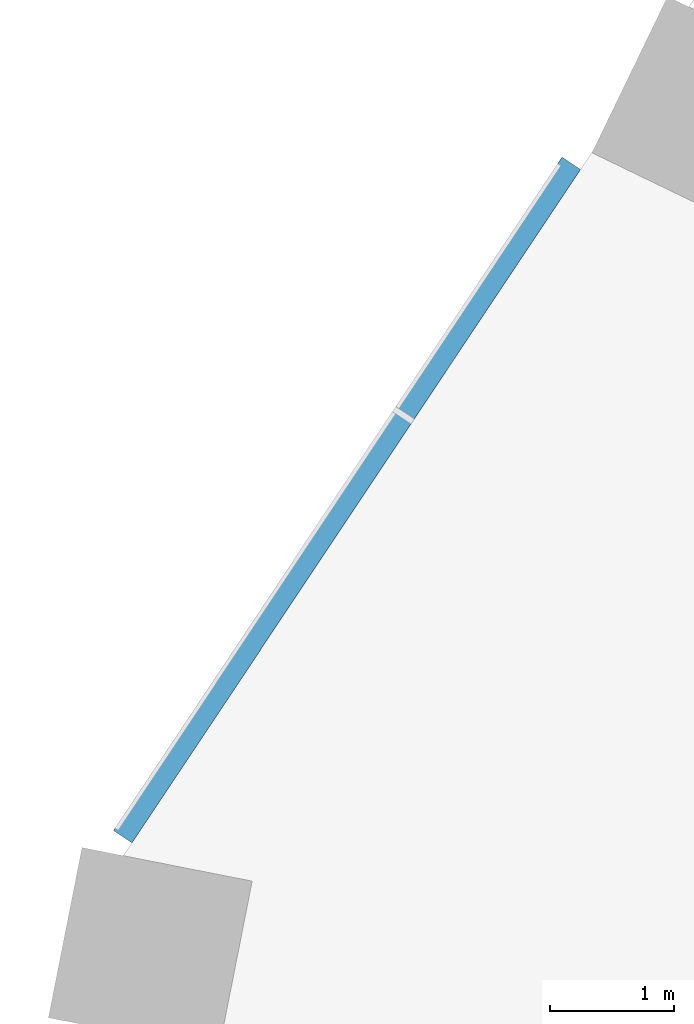
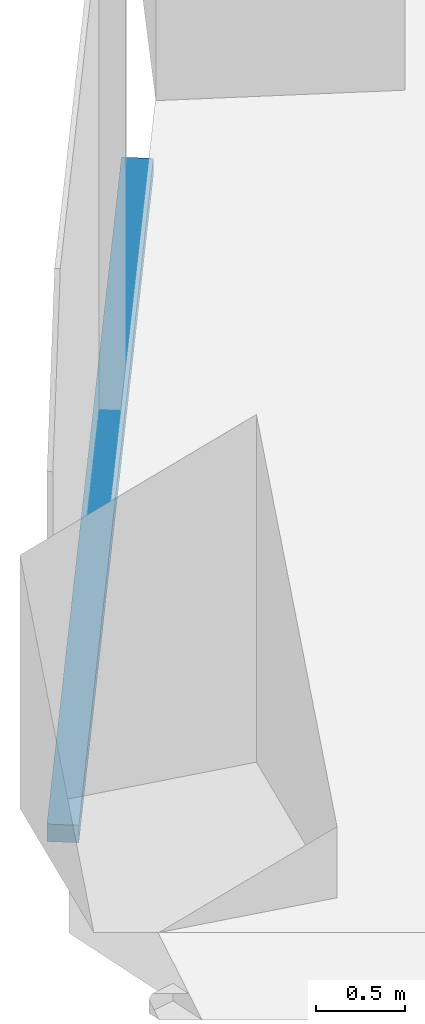
# One storey, part 7 of 38: 1 member, 1 element without a shape of its own.
"""IFC4 building model written with IfcOpenShell, lengths in metres."""

import ifcopenshell
import ifcopenshell.guid

model = None  # the IFC model being written
_history = None  # IfcOwnerHistory: only IFC2X3 demands one
_inside = {}  # id of a spatial element -> (the spatial element, [elements in it])
_under = {}  # id of a project, library or spatial element -> (it, [spatial elements below it])
_declared = {}  # id of a project -> (the project, [libraries it declares])
_typed = {}  # id of a type object -> (the type object, [elements of that type])
_made_of = {}  # id of a material, layer set ... -> (it, [elements and type objects made of it])


def new_model(schema):
    """Start an empty IFC model of exactly this schema.

    Asked for "IFC4X3", IfcOpenShell would pick the latest addendum, in which some entities
    have other attributes; the version numbers below select the first issue.
    IFC2X3 requires an IfcOwnerHistory on every rooted entity: one is made here for all.
    """
    global model, _history
    if schema == "IFC4X3":
        model = ifcopenshell.file(schema_version=(4, 3, 0, 0))
    else:
        model = ifcopenshell.file(schema=schema)
    _inside.clear()
    _under.clear()
    _declared.clear()
    _typed.clear()
    _made_of.clear()
    _history = None
    if model.schema == "IFC2X3":
        org = make("IfcOrganization", Name="unknown")
        user = make(
            "IfcPersonAndOrganization",
            ThePerson=make("IfcPerson", FamilyName="unknown"),
            TheOrganization=org,
        )
        app = make(
            "IfcApplication",
            ApplicationDeveloper=org,
            Version="unknown",
            ApplicationFullName="unknown",
            ApplicationIdentifier="unknown",
        )
        _history = make(
            "IfcOwnerHistory",
            OwningUser=user,
            OwningApplication=app,
            ChangeAction="ADDED",
            CreationDate=0,
        )
    return model


def make(cls, **values):
    """One entity of the class cls with the attributes given. An attribute that is None is left unset."""
    return model.create_entity(
        cls, **{name: value for name, value in values.items() if value is not None}
    )


def rooted(cls, **values):
    """An entity with a GlobalId (a new one), such as an element, a storey or a relation."""
    return make(cls, GlobalId=ifcopenshell.guid.new(), OwnerHistory=_history, **values)


def si_unit(unit_type, name, prefix=None):
    """IfcSIUnit, for example si_unit("LENGTHUNIT", "METRE", prefix="MILLI")."""
    return make("IfcSIUnit", UnitType=unit_type, Prefix=prefix, Name=name)


def assignment(units):
    """IfcUnitAssignment: the units of a project."""
    return None if units is None else make("IfcUnitAssignment", Units=units)


def point(xyz):
    """IfcCartesianPoint."""
    return None if xyz is None else make("IfcCartesianPoint", Coordinates=xyz)


def direction(xyz):
    """IfcDirection."""
    return None if xyz is None else make("IfcDirection", DirectionRatios=xyz)


def frame(location, z_axis=None, x_axis=None):
    """IfcAxis2Placement3D, a coordinate frame: its origin and axes. An axis left out is left unset."""
    return make(
        "IfcAxis2Placement3D",
        Location=point(location),
        Axis=direction(z_axis),
        RefDirection=direction(x_axis),
    )


def frame_2d(location, x_axis=None):
    """IfcAxis2Placement2D, a coordinate frame in the plane: its origin and x axis."""
    return make(
        "IfcAxis2Placement2D", Location=point(location), RefDirection=direction(x_axis)
    )


def origin():
    """The frame at (0, 0, 0) with its axes left unset."""
    return frame((0.0, 0.0, 0.0))


def origin_2d():
    """The frame at (0, 0) in the plane with its x axis left unset."""
    return frame_2d((0.0, 0.0))


def place(relative_to, where):
    """IfcLocalPlacement: puts the frame where relative to a parent placement (None: the world)."""
    return make(
        "IfcLocalPlacement", PlacementRelTo=relative_to, RelativePlacement=where
    )


def context(
    kind, dimensions, precision=None, world=None, true_north=None, identifier=None
):
    """IfcGeometricRepresentationContext, for example the 3D "Model" context."""
    return make(
        "IfcGeometricRepresentationContext",
        ContextIdentifier=identifier,
        ContextType=kind,
        CoordinateSpaceDimension=dimensions,
        Precision=precision,
        WorldCoordinateSystem=world,
        TrueNorth=true_north,
    )


def subcontext(parent, identifier, kind, view, scale=None):
    """IfcGeometricRepresentationSubContext, for example "Body" below "Model"."""
    return make(
        "IfcGeometricRepresentationSubContext",
        ContextIdentifier=identifier,
        ContextType=kind,
        ParentContext=parent,
        TargetScale=scale,
        TargetView=view,
    )


def project(units=None, contexts=None):
    """IfcProject with its units and contexts."""
    return rooted(
        "IfcProject",
        Name="project",
        RepresentationContexts=contexts,
        UnitsInContext=assignment(units),
    )


def spatial(cls, under=None, at=None, **own):
    """A site, building, storey or space (cls), placed at a placement, below another one or the project."""
    s = rooted(cls, ObjectPlacement=at, **own)
    if under is not None:
        _under.setdefault(under.id(), (under, []))[1].append(s)
    return s


def profile(cls, at=None, kind="AREA", **sizes):
    """A parametric profile (cls). Its sizes go by their IFC names, for example OverallWidth=200.0."""
    return make(cls, ProfileType=kind, Position=at, **sizes)


def rectangle(**sizes):
    """IfcRectangleProfileDef."""
    return profile("IfcRectangleProfileDef", **sizes)


def extrude(swept, where, along, depth):
    """IfcExtrudedAreaSolid: the profile swept, set in the frame where, extruded along a direction by depth."""
    return make(
        "IfcExtrudedAreaSolid",
        SweptArea=swept,
        Position=where,
        ExtrudedDirection=direction(along),
        Depth=depth,
    )


def shape(context_of_items, identifier, shape_type, items):
    """IfcShapeRepresentation: the items that make up one representation, for example the "Body"."""
    return make(
        "IfcShapeRepresentation",
        ContextOfItems=context_of_items,
        RepresentationIdentifier=identifier,
        RepresentationType=shape_type,
        Items=items,
    )


def material(Name=None, Category=None):
    """IfcMaterial."""
    return make("IfcMaterial", Name=Name, Category=Category)


def material_profile(
    of_material, cross_section, Name=None, Category=None, Priority=None
):
    """IfcMaterialProfile: a cross section and its material."""
    return make(
        "IfcMaterialProfile",
        Name=Name,
        Material=of_material,
        Profile=cross_section,
        Priority=Priority,
        Category=Category,
    )


def profile_set(profiles, Name=None, composite=None):
    """IfcMaterialProfileSet."""
    return make(
        "IfcMaterialProfileSet",
        Name=Name,
        MaterialProfiles=profiles,
        CompositeProfile=composite,
    )


def made_of(thing, what):
    """Note that an element or type object is made of a material, layer set ...; save() writes the relation."""
    if what is not None:
        _made_of.setdefault(what.id(), (what, []))[1].append(thing)
    return thing


def type_object(cls, material=None, **own):
    """A type object (cls), such as IfcWallType, which elements share."""
    return made_of(rooted(cls, **own), material)


def element(
    cls,
    number,
    at=None,
    inside=None,
    cuts=None,
    type_object=None,
    material=None,
    context=None,
    identifier="Body",
    shape_type=None,
    held_by="IfcProductDefinitionShape",
    body=None,
    shapes=None,
    **own,
):
    """One element of the class cls, such as IfcWall. Its Tag is "e" and its number.

    at: its placement. inside: the storey or other place that contains it. cuts: it is an
    opening in that element (IfcRelVoidsElement). A single representation is given by context,
    identifier, shape_type and body (its items); several are given by shapes. held_by: the class
    of the entity that holds the representations. save() writes the other relations.
    """
    e = rooted(cls, Tag="e%d" % number, ObjectPlacement=at, **own)
    if body is not None:
        shapes = [shape(context, identifier, shape_type, body)]
    if shapes is not None:
        e.Representation = make(held_by, Representations=shapes)
    if inside is not None:
        _inside.setdefault(inside.id(), (inside, []))[1].append(e)
    if cuts is not None:
        rooted(
            "IfcRelVoidsElement", RelatingBuildingElement=cuts, RelatedOpeningElement=e
        )
    if type_object is not None:
        _typed.setdefault(type_object.id(), (type_object, []))[1].append(e)
    return made_of(e, material)


def aggregate(whole, parts):
    """IfcRelAggregates: a whole, such as a stair, and the parts it consists of."""
    return rooted("IfcRelAggregates", RelatingObject=whole, RelatedObjects=parts)


def save(model, path):
    """Write the relations noted so far, then the file.

    IfcRelAggregates (storeys below a building ...), IfcRelContainedInSpatialStructure (elements
    in a storey), IfcRelDefinesByType, IfcRelAssociatesMaterial and IfcRelDeclares: one each for
    every whole, place, type object, material and project.
    """
    for whole, parts in _under.values():
        aggregate(whole, parts)
    for where, things in _inside.values():
        rooted(
            "IfcRelContainedInSpatialStructure",
            RelatedElements=things,
            RelatingStructure=where,
        )
    for kind, things in _typed.values():
        rooted("IfcRelDefinesByType", RelatedObjects=things, RelatingType=kind)
    for what, things in _made_of.values():
        rooted("IfcRelAssociatesMaterial", RelatedObjects=things, RelatingMaterial=what)
    for by, libraries in _declared.values():
        rooted("IfcRelDeclares", RelatingContext=by, RelatedDefinitions=libraries)
    model.write(path)


model = new_model("IFC4")

# Units and contexts
model_context = context("Model", 3, precision=1e-05, world=origin(), true_north=direction((0.0, 1.0)))
body_context = subcontext(model_context, "Body", "Model", "MODEL_VIEW")
ifc_project = project(units=[si_unit("LENGTHUNIT", "METRE"), si_unit("AREAUNIT", "SQUARE_METRE"), si_unit("VOLUMEUNIT", "CUBIC_METRE"), si_unit("PLANEANGLEUNIT", "RADIAN"), si_unit("MASSUNIT", "GRAM", prefix="KILO")], contexts=[model_context])

# Site, building, storey
site_placement = place(None, origin())
site = spatial("IfcSite", under=ifc_project, at=site_placement, CompositionType="ELEMENT")
building_placement = place(site_placement, origin())
building = spatial("IfcBuilding", under=site, at=building_placement, Name="Orlundy Tower", CompositionType="ELEMENT")
storey_placement = place(building_placement, frame((0.0, 0.0, 69.300048828125)))
storey = spatial("IfcBuildingStorey", under=building, at=storey_placement, Name="L16", CompositionType="ELEMENT", Elevation=69.300048828125)

# Curtain wall, member
ifc_material_1 = material(Name="Aluminium bronze anodised", Category="aluminium")
curtain_wall_type = type_object("IfcCurtainWallType", Name="CW1 wall", PredefinedType="NOTDEFINED", material=ifc_material_1)
curtain_wall_placement = place(storey_placement, origin())
curtain_wall = element("IfcCurtainWall", 1, at=curtain_wall_placement, inside=storey, type_object=curtain_wall_type, Name="CW1 run 014", PredefinedType="NOTDEFINED")
ifc_material_2 = material(Name="Aluminium bronze anodised", Category="aluminium")
ifc_material_profile = material_profile(ifc_material_2, rectangle(XDim=0.179931640625, YDim=0.1201171875, at=origin_2d()), Name="CW1 transom 180x120")
ifc_profile_set = profile_set([ifc_material_profile], Name="Aluminium bronze anodised")
member_type = type_object("IfcMemberType", Name="CW1 transom 180x120", PredefinedType="USERDEFINED", material=ifc_profile_set)
member_placement = place(storey_placement, frame((-31.442626953125, 7.073486328125, -0.340087890625), z_axis=(0.554355096338, 0.832280257584, 0.0), x_axis=(-0.832280257584, 0.554355096338, 0.0)))
member = element("IfcMember", 2, at=member_placement, type_object=member_type, Name="CW1 transom", ObjectType="TRANSOM", PredefinedType="USERDEFINED", context=body_context, shape_type="SweptSolid", body=[
    extrude(rectangle(XDim=0.179931640625, YDim=0.1201171875, at=origin_2d()), origin(), (0.0, 0.0, 1.0), 6.53125),
])
aggregate(curtain_wall, [member])

save(model, "model.ifc")
